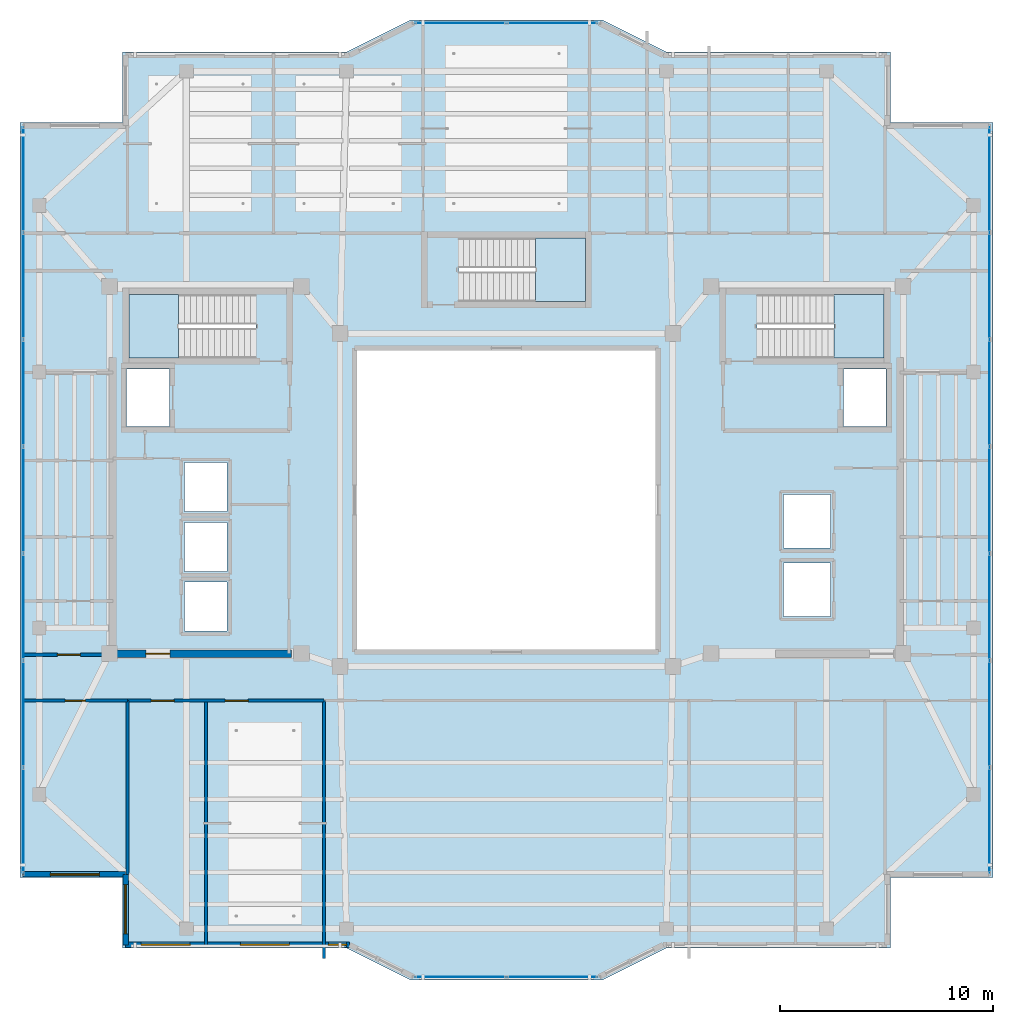
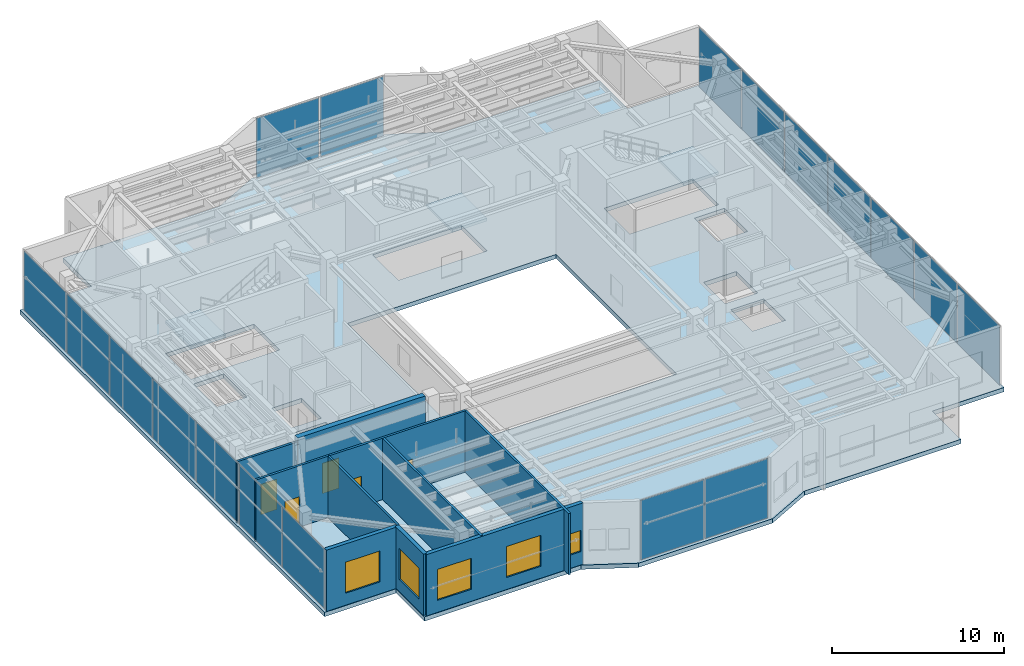
# One storey, part 13 of 25: 18 plates, 10 walls, 5 doors, 5 windows, 4 slabs, 10 openings, 7 elements without a shape of their own.
"""IFC4 building model written with IfcOpenShell, lengths in metres."""

from ifc_helpers import new_model, si_unit, direction, frame, frame_2d, origin, origin_2d, place, context, subcontext, project, spatial, polyline, rectangle, outline, extrude, material, layer, layer_set, type_object, element, fill, aggregate, save


model = new_model("IFC4")

# Units and contexts
model_context = context("Model", 3, precision=1e-05, world=origin(), true_north=direction((0.0, 1.0)))
body_context = subcontext(model_context, "Body", "Model", "MODEL_VIEW")
ifc_project = project(units=[si_unit("LENGTHUNIT", "METRE"), si_unit("AREAUNIT", "SQUARE_METRE"), si_unit("VOLUMEUNIT", "CUBIC_METRE"), si_unit("PLANEANGLEUNIT", "RADIAN"), si_unit("MASSUNIT", "GRAM", prefix="KILO")], contexts=[model_context])

# Site, building, storey
site_placement = place(None, origin())
site = spatial("IfcSite", under=ifc_project, at=site_placement, CompositionType="ELEMENT")
building_placement = place(site_placement, origin())
building = spatial("IfcBuilding", under=site, at=building_placement, Name="Tarnavaz Court Tower", CompositionType="ELEMENT")
storey_placement = place(building_placement, frame((0.0, 0.0, 271.64990234375)))
storey = spatial("IfcBuildingStorey", under=building, at=storey_placement, Name="L74", CompositionType="ELEMENT", Elevation=271.64990234375)

# Curtain wall, plates
ifc_material_1 = material(Name="Anodised Aluminium 6063-T6 and Solar Low-E Glazing", Category="aluminium")
ifc_layer_1 = layer(ifc_material_1, 0.2099609375)
ifc_layer_set_1 = layer_set([ifc_layer_1], Name="Anodised Aluminium 6063-T6 and Solar Low-E Glazing")
curtain_wall_type = type_object("IfcCurtainWallType", Name="CW-SYS-06", PredefinedType="NOTDEFINED", material=ifc_layer_set_1)
curtain_wall_1_placement = place(storey_placement, origin())
curtain_wall_1 = element("IfcCurtainWall", 1, at=curtain_wall_1_placement, inside=storey, type_object=curtain_wall_type, Name="L74 Observation Curtain Wall 2", PredefinedType="NOTDEFINED")
ifc_material_2 = material(Name="Double-Glazed Solar Low-E Glass", Category="glass")
ifc_layer_2 = layer(ifc_material_2, 0.028076171875)
ifc_layer_set_2 = layer_set([ifc_layer_2], Name="Double-Glazed Solar Low-E Glass")
plate_type = type_object("IfcPlateType", Name="CW-PAN-GLZ28", PredefinedType="CURTAIN_PANEL", material=ifc_layer_set_2)
plate_1_placement = place(storey_placement, frame((-22.64990234375, -15.021728515625, 0.06494140625), z_axis=(0.0, 0.0, 1.0), x_axis=(0.0, 1.0, 0.0)))
plate_1 = element("IfcPlate", 2, at=plate_1_placement, type_object=plate_type, Name="CW panel 1.1", PredefinedType="CURTAIN_PANEL", context=body_context, shape_type="SweptSolid", body=[
    extrude(rectangle(XDim=4.88671875, YDim=0.028076171875, at=origin_2d()), origin(), (0.0, 0.0, 1.0), 4.219970703125),
])
plate_2_placement = place(storey_placement, frame((-22.64990234375, -10.028564453125, 0.06494140625), z_axis=(0.0, 0.0, 1.0), x_axis=(0.0, 1.0, 0.0)))
plate_2 = element("IfcPlate", 3, at=plate_2_placement, type_object=plate_type, Name="CW panel 2.1", PredefinedType="CURTAIN_PANEL", context=body_context, shape_type="SweptSolid", body=[
    extrude(rectangle(XDim=4.92919921875, YDim=0.028076171875, at=origin_2d()), origin(), (0.0, 0.0, 1.0), 4.219970703125),
])
plate_3_placement = place(storey_placement, frame((-22.64990234375, -5.014404296875, 0.06494140625), z_axis=(0.0, 0.0, 1.0), x_axis=(0.0, 1.0, 0.0)))
plate_3 = element("IfcPlate", 4, at=plate_3_placement, type_object=plate_type, Name="CW panel 3.1", PredefinedType="CURTAIN_PANEL", context=body_context, shape_type="SweptSolid", body=[
    extrude(rectangle(XDim=4.92919921875, YDim=0.028076171875, at=origin_2d()), origin(), (0.0, 0.0, 1.0), 4.219970703125),
])
plate_4_placement = place(storey_placement, frame((-22.64990234375, 0.0, 0.06494140625), z_axis=(0.0, 0.0, 1.0), x_axis=(0.0, 1.0, 0.0)))
plate_4 = element("IfcPlate", 5, at=plate_4_placement, type_object=plate_type, Name="CW panel 4.1", PredefinedType="CURTAIN_PANEL", context=body_context, shape_type="SweptSolid", body=[
    extrude(rectangle(XDim=4.92919921875, YDim=0.028076171875, at=origin_2d()), origin(), (0.0, 0.0, 1.0), 4.219970703125),
])
plate_5_placement = place(storey_placement, frame((-22.64990234375, 5.014404296875, 0.06494140625), z_axis=(0.0, 0.0, 1.0), x_axis=(0.0, 1.0, 0.0)))
plate_5 = element("IfcPlate", 6, at=plate_5_placement, type_object=plate_type, Name="CW panel 5.1", PredefinedType="CURTAIN_PANEL", context=body_context, shape_type="SweptSolid", body=[
    extrude(rectangle(XDim=4.92919921875, YDim=0.028076171875, at=origin_2d()), origin(), (0.0, 0.0, 1.0), 4.219970703125),
])
plate_6_placement = place(storey_placement, frame((-22.64990234375, 10.028564453125, 0.06494140625), z_axis=(0.0, 0.0, 1.0), x_axis=(0.0, 1.0, 0.0)))
plate_6 = element("IfcPlate", 7, at=plate_6_placement, type_object=plate_type, Name="CW panel 6.1", PredefinedType="CURTAIN_PANEL", context=body_context, shape_type="SweptSolid", body=[
    extrude(rectangle(XDim=4.92919921875, YDim=0.028076171875, at=origin_2d()), origin(), (0.0, 0.0, 1.0), 4.219970703125),
])
plate_7_placement = place(storey_placement, frame((-22.64990234375, 15.021728515625, 0.06494140625), z_axis=(0.0, 0.0, 1.0), x_axis=(0.0, 1.0, 0.0)))
plate_7 = element("IfcPlate", 8, at=plate_7_placement, type_object=plate_type, Name="CW panel 7.1", PredefinedType="CURTAIN_PANEL", context=body_context, shape_type="SweptSolid", body=[
    extrude(rectangle(XDim=4.88671875, YDim=0.028076171875, at=origin_2d()), origin(), (0.0, 0.0, 1.0), 4.219970703125),
])
aggregate(curtain_wall_1, [plate_1, plate_2, plate_3, plate_4, plate_5, plate_6, plate_7])

curtain_wall_2_placement = place(storey_placement, origin())
curtain_wall_2 = element("IfcCurtainWall", 9, at=curtain_wall_2_placement, inside=storey, type_object=curtain_wall_type, Name="L74 Observation Curtain Wall 7", PredefinedType="NOTDEFINED")
plate_8_placement = place(storey_placement, frame((-2.15380859375, 22.35009765625, 0.06494140625), z_axis=(0.0, 0.0, 1.0), x_axis=(1.0, 0.0, 0.0)))
plate_8 = element("IfcPlate", 10, at=plate_8_placement, type_object=plate_type, Name="CW panel 1.1", PredefinedType="CURTAIN_PANEL", context=body_context, shape_type="SweptSolid", body=[
    extrude(rectangle(XDim=4.222412109375, YDim=0.028076171875, at=origin_2d()), origin(), (0.0, 0.0, 1.0), 4.219970703125),
])
plate_9_placement = place(storey_placement, frame((2.15380859375, 22.35009765625, 0.06494140625), z_axis=(0.0, 0.0, 1.0), x_axis=(1.0, 0.0, 0.0)))
plate_9 = element("IfcPlate", 11, at=plate_9_placement, type_object=plate_type, Name="CW panel 2.1", PredefinedType="CURTAIN_PANEL", context=body_context, shape_type="SweptSolid", body=[
    extrude(rectangle(XDim=4.222412109375, YDim=0.028076171875, at=origin_2d()), origin(), (0.0, 0.0, 1.0), 4.219970703125),
])
aggregate(curtain_wall_2, [plate_8, plate_9])

curtain_wall_3_placement = place(storey_placement, origin())
curtain_wall_3 = element("IfcCurtainWall", 12, at=curtain_wall_3_placement, inside=storey, type_object=curtain_wall_type, Name="L74 Observation Curtain Wall 12", PredefinedType="NOTDEFINED")
plate_10_placement = place(storey_placement, frame((22.64990234375, 15.021728515625, 0.06494140625), z_axis=(0.0, 0.0, 1.0), x_axis=(0.0, -1.0, 0.0)))
plate_10 = element("IfcPlate", 13, at=plate_10_placement, type_object=plate_type, Name="CW panel 1.1", PredefinedType="CURTAIN_PANEL", context=body_context, shape_type="SweptSolid", body=[
    extrude(rectangle(XDim=4.88671875, YDim=0.028076171875, at=origin_2d()), origin(), (0.0, 0.0, 1.0), 4.219970703125),
])
plate_11_placement = place(storey_placement, frame((22.64990234375, 10.028564453125, 0.06494140625), z_axis=(0.0, 0.0, 1.0), x_axis=(0.0, -1.0, 0.0)))
plate_11 = element("IfcPlate", 14, at=plate_11_placement, type_object=plate_type, Name="CW panel 2.1", PredefinedType="CURTAIN_PANEL", context=body_context, shape_type="SweptSolid", body=[
    extrude(rectangle(XDim=4.92919921875, YDim=0.028076171875, at=origin_2d()), origin(), (0.0, 0.0, 1.0), 4.219970703125),
])
plate_12_placement = place(storey_placement, frame((22.64990234375, 5.014404296875, 0.06494140625), z_axis=(0.0, 0.0, 1.0), x_axis=(0.0, -1.0, 0.0)))
plate_12 = element("IfcPlate", 15, at=plate_12_placement, type_object=plate_type, Name="CW panel 3.1", PredefinedType="CURTAIN_PANEL", context=body_context, shape_type="SweptSolid", body=[
    extrude(rectangle(XDim=4.92919921875, YDim=0.028076171875, at=origin_2d()), origin(), (0.0, 0.0, 1.0), 4.219970703125),
])
plate_13_placement = place(storey_placement, frame((22.64990234375, 0.0, 0.06494140625), z_axis=(0.0, 0.0, 1.0), x_axis=(0.0, -1.0, 0.0)))
plate_13 = element("IfcPlate", 16, at=plate_13_placement, type_object=plate_type, Name="CW panel 4.1", PredefinedType="CURTAIN_PANEL", context=body_context, shape_type="SweptSolid", body=[
    extrude(rectangle(XDim=4.92919921875, YDim=0.028076171875, at=origin_2d()), origin(), (0.0, 0.0, 1.0), 4.219970703125),
])
plate_14_placement = place(storey_placement, frame((22.64990234375, -5.014404296875, 0.06494140625), z_axis=(0.0, 0.0, 1.0), x_axis=(0.0, -1.0, 0.0)))
plate_14 = element("IfcPlate", 17, at=plate_14_placement, type_object=plate_type, Name="CW panel 5.1", PredefinedType="CURTAIN_PANEL", context=body_context, shape_type="SweptSolid", body=[
    extrude(rectangle(XDim=4.92919921875, YDim=0.028076171875, at=origin_2d()), origin(), (0.0, 0.0, 1.0), 4.219970703125),
])
plate_15_placement = place(storey_placement, frame((22.64990234375, -10.028564453125, 0.06494140625), z_axis=(0.0, 0.0, 1.0), x_axis=(0.0, -1.0, 0.0)))
plate_15 = element("IfcPlate", 18, at=plate_15_placement, type_object=plate_type, Name="CW panel 6.1", PredefinedType="CURTAIN_PANEL", context=body_context, shape_type="SweptSolid", body=[
    extrude(rectangle(XDim=4.92919921875, YDim=0.028076171875, at=origin_2d()), origin(), (0.0, 0.0, 1.0), 4.219970703125),
])
plate_16_placement = place(storey_placement, frame((22.64990234375, -15.021728515625, 0.06494140625), z_axis=(0.0, 0.0, 1.0), x_axis=(0.0, -1.0, 0.0)))
plate_16 = element("IfcPlate", 19, at=plate_16_placement, type_object=plate_type, Name="CW panel 7.1", PredefinedType="CURTAIN_PANEL", context=body_context, shape_type="SweptSolid", body=[
    extrude(rectangle(XDim=4.88671875, YDim=0.028076171875, at=origin_2d()), origin(), (0.0, 0.0, 1.0), 4.219970703125),
])
aggregate(curtain_wall_3, [plate_10, plate_11, plate_12, plate_13, plate_14, plate_15, plate_16])

curtain_wall_4_placement = place(storey_placement, origin())
curtain_wall_4 = element("IfcCurtainWall", 20, at=curtain_wall_4_placement, inside=storey, type_object=curtain_wall_type, Name="L74 Observation Curtain Wall 17", PredefinedType="NOTDEFINED")
plate_17_placement = place(storey_placement, frame((2.15380859375, -22.35009765625, 0.06494140625), z_axis=(0.0, 0.0, 1.0), x_axis=(-1.0, 0.0, 0.0)))
plate_17 = element("IfcPlate", 21, at=plate_17_placement, type_object=plate_type, Name="CW panel 1.1", PredefinedType="CURTAIN_PANEL", context=body_context, shape_type="SweptSolid", body=[
    extrude(rectangle(XDim=4.222412109375, YDim=0.028076171875, at=origin_2d()), origin(), (0.0, 0.0, 1.0), 4.219970703125),
])
plate_18_placement = place(storey_placement, frame((-2.15380859375, -22.35009765625, 0.06494140625), z_axis=(0.0, 0.0, 1.0), x_axis=(-1.0, 0.0, 0.0)))
plate_18 = element("IfcPlate", 22, at=plate_18_placement, type_object=plate_type, Name="CW panel 2.1", PredefinedType="CURTAIN_PANEL", context=body_context, shape_type="SweptSolid", body=[
    extrude(rectangle(XDim=4.222412109375, YDim=0.028076171875, at=origin_2d()), origin(), (0.0, 0.0, 1.0), 4.219970703125),
])
aggregate(curtain_wall_4, [plate_17, plate_18])

# Stair, slab
ifc_material_3 = material(Name="Concrete C40/50", Category="concrete")
stair_type = type_object("IfcStairType", Name="ST-TWR-28R", PredefinedType="HALF_TURN_STAIR", material=ifc_material_3)
stair_1_placement = place(storey_placement, origin())
stair_1 = element("IfcStair", 23, at=stair_1_placement, inside=storey, type_object=stair_type, Name="L74 West Core Pressurized Exit Stair ST-W1", PredefinedType="HALF_TURN_STAIR")
ifc_layer_3 = layer(ifc_material_3, 0.199951171875)
ifc_layer_set_3 = layer_set([ifc_layer_3], Name="Concrete C40/50")
slab_type_1 = type_object("IfcSlabType", Name="SL-LAND-200", PredefinedType="LANDING", material=ifc_layer_set_3)
slab_1_placement = place(storey_placement, frame((0.0, 0.0, 2.125)))
slab_1 = element("IfcSlab", 24, at=slab_1_placement, type_object=slab_type_1, Name="ST-W1 landing 1", PredefinedType="LANDING", context=body_context, shape_type="SweptSolid", body=[
    extrude(outline(polyline([(-15.360107421875, 9.639892578125), (-17.699951171875, 9.639892578125), (-17.699951171875, 6.64990234375), (-15.360107421875, 6.64990234375), (-15.360107421875, 9.639892578125)])), origin(), (0.0, 0.0, 1.0), 0.2001953125),
])
aggregate(stair_1, [slab_1])

stair_2_placement = place(storey_placement, origin())
stair_2 = element("IfcStair", 25, at=stair_2_placement, inside=storey, type_object=stair_type, Name="L74 East Core Pressurized Exit Stair ST-E1", PredefinedType="HALF_TURN_STAIR")
slab_2_placement = place(storey_placement, frame((0.0, 0.0, 2.125)))
slab_2 = element("IfcSlab", 26, at=slab_2_placement, type_object=slab_type_1, Name="ST-E1 landing 1", PredefinedType="LANDING", context=body_context, shape_type="SweptSolid", body=[
    extrude(outline(polyline([(15.360107421875, 6.64990234375), (17.699951171875, 6.64990234375), (17.699951171875, 9.639892578125), (15.360107421875, 9.639892578125), (15.360107421875, 6.64990234375)])), origin(), (0.0, 0.0, 1.0), 0.2001953125),
])
aggregate(stair_2, [slab_2])

stair_3_placement = place(storey_placement, origin())
stair_3 = element("IfcStair", 27, at=stair_3_placement, inside=storey, type_object=stair_type, Name="L74 North Ring Pressurized Exit Stair ST-N1", PredefinedType="HALF_TURN_STAIR")
slab_3_placement = place(storey_placement, frame((0.0, 0.0, 2.125)))
slab_3 = element("IfcSlab", 28, at=slab_3_placement, type_object=slab_type_1, Name="ST-N1 landing 1", PredefinedType="LANDING", context=body_context, shape_type="SweptSolid", body=[
    extrude(outline(polyline([(1.360107421875, 9.300048828125), (3.699951171875, 9.300048828125), (3.699951171875, 12.2900390625), (1.360107421875, 12.2900390625), (1.360107421875, 9.300048828125)])), origin(), (0.0, 0.0, 1.0), 0.2001953125),
])
aggregate(stair_3, [slab_3])

# Slab
ifc_layer_4 = layer(ifc_material_3, 0.300048828125)
ifc_layer_set_4 = layer_set([ifc_layer_4], Name="Concrete C40/50")
slab_type_2 = type_object("IfcSlabType", Name="SL-POD-300", PredefinedType="FLOOR", material=ifc_layer_set_4)
slab_4_placement = place(storey_placement, frame((0.0, 0.0, -0.2998046875)))
element("IfcSlab", 29, at=slab_4_placement, inside=storey, type_object=slab_type_2, Name="L74 Structural Floor Slab", PredefinedType="FLOOR", context=body_context, shape_type="SweptSolid", body=[
    extrude(outline(polyline([(-18.0, -21.0), (-7.5, -21.0), (-4.5, -22.5), (4.5, -22.5), (7.5, -21.0), (18.0, -21.0), (18.0, -17.699951171875), (22.800048828125, -17.699951171875), (22.800048828125, 17.699951171875), (18.0, 17.699951171875), (18.0, 21.0), (7.5, 21.0), (4.5, 22.5), (-4.5, 22.5), (-7.5, 21.0), (-18.0, 21.0), (-18.0, 17.699951171875), (-22.800048828125, 17.699951171875), (-22.800048828125, -17.699951171875), (-18.0, -17.699951171875), (-18.0, -21.0)]), holes=[polyline([(-7.0, -7.0), (7.0, -7.0), (7.0, 7.0), (-7.0, 7.0), (-7.0, -7.0)]), polyline([(-11.7451171875, 9.639892578125), (-17.699951171875, 9.639892578125), (-17.699951171875, 6.64990234375), (-11.7451171875, 6.64990234375), (-11.7451171875, 9.639892578125)]), polyline([(11.7451171875, 6.64990234375), (17.699951171875, 6.64990234375), (17.699951171875, 9.639892578125), (11.7451171875, 9.639892578125), (11.7451171875, 6.64990234375)]), polyline([(-2.2548828125, 9.300048828125), (3.699951171875, 9.300048828125), (3.699951171875, 12.2900390625), (-2.2548828125, 12.2900390625), (-2.2548828125, 9.300048828125)]), polyline([(-17.800048828125, 3.449951171875), (-15.800048828125, 3.449951171875), (-15.800048828125, 6.14990234375), (-17.800048828125, 6.14990234375), (-17.800048828125, 3.449951171875)]), polyline([(-15.10009765625, -6.14990234375), (-13.10009765625, -6.14990234375), (-13.10009765625, -3.85009765625), (-15.10009765625, -3.85009765625), (-15.10009765625, -6.14990234375)]), polyline([(-15.10009765625, -3.35009765625), (-13.10009765625, -3.35009765625), (-13.10009765625, -1.050048828125), (-15.10009765625, -1.050048828125), (-15.10009765625, -3.35009765625)]), polyline([(-15.10009765625, -0.550048828125), (-13.10009765625, -0.550048828125), (-13.10009765625, 1.75), (-15.10009765625, 1.75), (-15.10009765625, -0.550048828125)]), polyline([(15.800048828125, 3.449951171875), (17.800048828125, 3.449951171875), (17.800048828125, 6.14990234375), (15.800048828125, 6.14990234375), (15.800048828125, 3.449951171875)]), polyline([(13.0, -5.449951171875), (15.199951171875, -5.449951171875), (15.199951171875, -2.949951171875), (13.0, -2.949951171875), (13.0, -5.449951171875)]), polyline([(13.0, -2.25), (15.199951171875, -2.25), (15.199951171875, 0.25), (13.0, 0.25), (13.0, -2.25)])]), origin(), (0.0, 0.0, 1.0), 0.2998046875),
])

# Wall, opening, door
ifc_material_4 = material(Name="Concrete C50/60", Category="concrete")
ifc_layer_5 = layer(ifc_material_4, 0.35009765625)
ifc_layer_set_5 = layer_set([ifc_layer_5], Name="Concrete C50/60")
wall_type_1 = type_object("IfcWallType", Name="WL-CORE-350-C50", PredefinedType="SHEAR", material=ifc_layer_set_5)
wall_1_placement = place(storey_placement, frame((-18.625, -7.199951171875, 0.0), z_axis=(0.0, 0.0, 1.0), x_axis=(1.0, 0.0, 0.0)))
wall_1 = element("IfcWall", 30, at=wall_1_placement, inside=storey, type_object=wall_type_1, Name="L74 West Core South Shear Wall 046", PredefinedType="SHEAR", context=body_context, shape_type="SweptSolid", body=[
    extrude(rectangle(XDim=8.550048828125, YDim=0.35009765625, at=frame_2d((4.27490234375, 0.0))), origin(), (0.0, 0.0, 1.0), 4.650146484375),
])
opening_1_placement = place(wall_1_placement, frame((1.72509765625, 0.0, 0.0)))
opening_1 = element("IfcOpeningElement", 31, at=opening_1_placement, cuts=wall_1, Name="Opening D04", PredefinedType="OPENING", context=body_context, shape_type="SweptSolid", body=[
    extrude(rectangle(XDim=1.1201171875, YDim=2.14990234375, at=frame_2d((0.56005859375, 1.074951171875))), frame((0.0, 0.18505859375, 0.0), z_axis=(0.0, -1.0, 0.0), x_axis=(1.0, 0.0, 0.0)), (0.0, 0.0, 1.0), 0.3701171875),
])
ifc_material_5 = material(Name="Fire-Rated Hardwood Timber Core", Category="wood")
door_type_1 = type_object("IfcDoorType", Name="DR-FD60-1100", OperationType="NOTDEFINED", PredefinedType="DOOR", material=ifc_material_5)
door_1_placement = place(opening_1_placement, origin())
door_1 = element("IfcDoor", 32, at=door_1_placement, inside=storey, type_object=door_type_1, Name="L74 West High-Rise Lift Lobby Door", OperationType="SINGLE_SWING_LEFT", OverallHeight=2.14990234375, OverallWidth=1.1201171875, PredefinedType="DOOR", context=body_context, shape_type="SweptSolid", body=[
    extrude(rectangle(XDim=1.1201171875, YDim=2.14990234375, at=frame_2d((0.56005859375, 1.074951171875))), frame((0.0, 0.02490234375, 0.0), z_axis=(0.0, -1.0, 0.0), x_axis=(1.0, 0.0, 0.0)), (0.0, 0.0, 1.0), 0.050048828125),
])
fill(opening_1, door_1)

# Wall, opening, window
ifc_material_6 = material(Name="Precast Concrete C40/50", Category="concrete")
ifc_layer_6 = layer(ifc_material_6, 0.260009765625)
ifc_layer_set_6 = layer_set([ifc_layer_6], Name="Precast Concrete C40/50")
wall_type_2 = type_object("IfcWallType", Name="WL-EXT-260", PredefinedType="SOLIDWALL", material=ifc_layer_set_6)
wall_2_placement = place(storey_placement, frame((-17.85009765625, -17.550048828125, 0.0), z_axis=(0.0, 0.0, 1.0), x_axis=(-1.0, 0.0, 0.0)))
wall_2 = element("IfcWall", 33, at=wall_2_placement, inside=storey, type_object=wall_type_2, Name="L74 Exterior Terracotta Facade Wall 01", PredefinedType="SOLIDWALL", context=body_context, shape_type="SweptSolid", body=[
    extrude(rectangle(XDim=4.7998046875, YDim=0.260009765625, at=frame_2d((2.39990234375, 0.0))), origin(), (0.0, 0.0, 1.0), 4.35009765625),
])
opening_2_placement = place(wall_2_placement, frame((1.224609375, 0.0, 0.85009765625)))
opening_2 = element("IfcOpeningElement", 34, at=opening_2_placement, cuts=wall_2, Name="Opening W12", PredefinedType="OPENING", context=body_context, shape_type="SweptSolid", body=[
    extrude(rectangle(XDim=2.300048828125, YDim=2.199951171875, at=frame_2d((1.14990234375, 1.10009765625))), frame((0.0, 0.139892578125, 0.0), z_axis=(0.0, -1.0, 0.0), x_axis=(1.0, 0.0, 0.0)), (0.0, 0.0, 1.0), 0.280029296875),
])
window_type_1 = type_object("IfcWindowType", Name="WN-COM-2300", PartitioningType="DOUBLE_PANEL_VERTICAL", PredefinedType="WINDOW", material=ifc_material_2)
window_1_placement = place(opening_2_placement, origin())
window_1 = element("IfcWindow", 35, at=window_1_placement, inside=storey, type_object=window_type_1, Name="L74 L74 SW Terrace Salon Window", OverallHeight=2.199951171875, OverallWidth=2.300048828125, PartitioningType="SINGLE_PANEL", PredefinedType="WINDOW", context=body_context, shape_type="SweptSolid", body=[
    extrude(rectangle(XDim=2.300048828125, YDim=2.199951171875, at=frame_2d((1.14990234375, 1.10009765625))), frame((0.0, 0.030029296875, 0.0), z_axis=(0.0, -1.0, 0.0), x_axis=(1.0, 0.0, 0.0)), (0.0, 0.0, 1.0), 0.06005859375),
])
fill(opening_2, window_1)

# Wall, openings, windows
wall_3_placement = place(storey_placement, frame((-7.35009765625, -20.85009765625, 0.0), z_axis=(0.0, 0.0, 1.0), x_axis=(-1.0, 0.0, 0.0)))
wall_3 = element("IfcWall", 36, at=wall_3_placement, inside=storey, type_object=wall_type_2, Name="L74 Exterior Terracotta Facade Wall 19", PredefinedType="SOLIDWALL", context=body_context, shape_type="SweptSolid", body=[
    extrude(rectangle(XDim=10.5, YDim=0.260009765625, at=frame_2d((5.25, 0.0))), origin(), (0.0, 0.0, 1.0), 4.35009765625),
])
opening_3_placement = place(wall_3_placement, frame((0.14501953125, 0.0, 0.949951171875)))
opening_3 = element("IfcOpeningElement", 37, at=opening_3_placement, cuts=wall_3, Name="Opening W15", PredefinedType="OPENING", context=body_context, shape_type="SweptSolid", body=[
    extrude(rectangle(XDim=0.85009765625, YDim=1.5, at=frame_2d((0.425048828125, 0.75))), frame((0.0, 0.139892578125, 0.0), z_axis=(0.0, -1.0, 0.0), x_axis=(1.0, 0.0, 0.0)), (0.0, 0.0, 1.0), 0.280029296875),
])
opening_4_placement = place(wall_3_placement, frame((2.824951171875, 0.0, 0.85009765625)))
opening_4 = element("IfcOpeningElement", 38, at=opening_4_placement, cuts=wall_3, Name="Opening W12", PredefinedType="OPENING", context=body_context, shape_type="SweptSolid", body=[
    extrude(rectangle(XDim=2.300048828125, YDim=2.199951171875, at=frame_2d((1.14990234375, 1.10009765625))), frame((0.0, 0.139892578125, 0.0), z_axis=(0.0, -1.0, 0.0), x_axis=(1.0, 0.0, 0.0)), (0.0, 0.0, 1.0), 0.280029296875),
])
opening_5_placement = place(wall_3_placement, frame((7.47509765625, 0.0, 0.85009765625)))
opening_5 = element("IfcOpeningElement", 39, at=opening_5_placement, cuts=wall_3, Name="Opening W12", PredefinedType="OPENING", context=body_context, shape_type="SweptSolid", body=[
    extrude(rectangle(XDim=2.300048828125, YDim=2.199951171875, at=frame_2d((1.14990234375, 1.10009765625))), frame((0.0, 0.139892578125, 0.0), z_axis=(0.0, -1.0, 0.0), x_axis=(1.0, 0.0, 0.0)), (0.0, 0.0, 1.0), 0.280029296875),
])
window_type_2 = type_object("IfcWindowType", Name="WN-APT-850", PartitioningType="SINGLE_PANEL", PredefinedType="WINDOW", material=ifc_material_2)
window_2_placement = place(opening_3_placement, origin())
window_2 = element("IfcWindow", 40, at=window_2_placement, inside=storey, type_object=window_type_2, Name="L74 L74 Central Iwan Cultural Exhibition Hall Window", OverallHeight=1.5, OverallWidth=0.85009765625, PartitioningType="SINGLE_PANEL", PredefinedType="WINDOW", context=body_context, shape_type="SweptSolid", body=[
    extrude(rectangle(XDim=0.85009765625, YDim=1.5, at=frame_2d((0.425048828125, 0.75))), frame((0.0, 0.030029296875, 0.0), z_axis=(0.0, -1.0, 0.0), x_axis=(1.0, 0.0, 0.0)), (0.0, 0.0, 1.0), 0.06005859375),
])
fill(opening_3, window_2)
window_3_placement = place(opening_4_placement, origin())
window_3 = element("IfcWindow", 41, at=window_3_placement, inside=storey, type_object=window_type_1, Name="L74 L74 South-West Study Room Window", OverallHeight=2.199951171875, OverallWidth=2.300048828125, PartitioningType="SINGLE_PANEL", PredefinedType="WINDOW", context=body_context, shape_type="SweptSolid", body=[
    extrude(rectangle(XDim=2.300048828125, YDim=2.199951171875, at=frame_2d((1.14990234375, 1.10009765625))), frame((0.0, 0.030029296875, 0.0), z_axis=(0.0, -1.0, 0.0), x_axis=(1.0, 0.0, 0.0)), (0.0, 0.0, 1.0), 0.06005859375),
])
fill(opening_4, window_3)
window_4_placement = place(opening_5_placement, origin())
window_4 = element("IfcWindow", 42, at=window_4_placement, inside=storey, type_object=window_type_1, Name="L74 High-Rise Visitor Cafe Window", OverallHeight=2.199951171875, OverallWidth=2.300048828125, PartitioningType="SINGLE_PANEL", PredefinedType="WINDOW", context=body_context, shape_type="SweptSolid", body=[
    extrude(rectangle(XDim=2.300048828125, YDim=2.199951171875, at=frame_2d((1.14990234375, 1.10009765625))), frame((0.0, 0.030029296875, 0.0), z_axis=(0.0, -1.0, 0.0), x_axis=(1.0, 0.0, 0.0)), (0.0, 0.0, 1.0), 0.06005859375),
])
fill(opening_5, window_4)

# Wall, opening, window
wall_4_placement = place(storey_placement, frame((-17.85009765625, -20.85009765625, 0.0), z_axis=(0.0, 0.0, 1.0), x_axis=(0.0, 1.0, 0.0)))
wall_4 = element("IfcWall", 43, at=wall_4_placement, inside=storey, type_object=wall_type_2, Name="L74 Exterior Terracotta Facade Wall 20", PredefinedType="SOLIDWALL", context=body_context, shape_type="SweptSolid", body=[
    extrude(rectangle(XDim=3.300048828125, YDim=0.260009765625, at=frame_2d((1.64990234375, 0.0))), origin(), (0.0, 0.0, 1.0), 4.35009765625),
])
opening_6_placement = place(wall_4_placement, frame((0.517578125, 0.0, 0.85009765625)))
opening_6 = element("IfcOpeningElement", 44, at=opening_6_placement, cuts=wall_4, Name="Opening W12", PredefinedType="OPENING", context=body_context, shape_type="SweptSolid", body=[
    extrude(rectangle(XDim=2.300048828125, YDim=2.199951171875, at=frame_2d((1.14990234375, 1.10009765625))), frame((0.0, 0.139892578125, 0.0), z_axis=(0.0, -1.0, 0.0), x_axis=(1.0, 0.0, 0.0)), (0.0, 0.0, 1.0), 0.280029296875),
])
window_5_placement = place(opening_6_placement, origin())
window_5 = element("IfcWindow", 45, at=window_5_placement, inside=storey, type_object=window_type_1, Name="L74 High-Rise Visitor Cafe Window", OverallHeight=2.199951171875, OverallWidth=2.300048828125, PartitioningType="SINGLE_PANEL", PredefinedType="WINDOW", context=body_context, shape_type="SweptSolid", body=[
    extrude(rectangle(XDim=2.300048828125, YDim=2.199951171875, at=frame_2d((1.14990234375, 1.10009765625))), frame((0.0, 0.030029296875, 0.0), z_axis=(0.0, -1.0, 0.0), x_axis=(1.0, 0.0, 0.0)), (0.0, 0.0, 1.0), 0.06005859375),
])
fill(opening_6, window_5)

# Wall, openings, doors
ifc_material_7 = material(Name="Gypsum Fire-Board on Acoustic Metal Stud", Category="masonry")
ifc_layer_7 = layer(ifc_material_7, 0.14990234375)
ifc_layer_set_7 = layer_set([ifc_layer_7], Name="Gypsum Fire-Board on Acoustic Metal Stud")
wall_type_3 = type_object("IfcWallType", Name="WL-FIRE-150", PredefinedType="PARTITIONING", material=ifc_layer_set_7)
wall_5_placement = place(storey_placement, frame((-17.75, -9.39990234375, 0.0), z_axis=(0.0, 0.0, 1.0), x_axis=(1.0, 0.0, 0.0)))
wall_5 = element("IfcWall", 46, at=wall_5_placement, inside=storey, type_object=wall_type_3, Name="L74 SW Lobby Wall 056", PredefinedType="PARTITIONING", context=body_context, shape_type="SweptSolid", body=[
    extrude(rectangle(XDim=9.199951171875, YDim=0.14990234375, at=frame_2d((4.60009765625, 0.0))), origin(), (0.0, 0.0, 1.0), 4.35009765625),
])
opening_7_placement = place(wall_5_placement, frame((1.10009765625, 0.0, 0.0)))
opening_7 = element("IfcOpeningElement", 47, at=opening_7_placement, cuts=wall_5, Name="Opening D12", PredefinedType="OPENING", context=body_context, shape_type="SweptSolid", body=[
    extrude(rectangle(XDim=1.080078125, YDim=2.14990234375, at=frame_2d((0.5400390625, 1.074951171875))), frame((0.0, 0.0849609375, 0.0), z_axis=(0.0, -1.0, 0.0), x_axis=(1.0, 0.0, 0.0)), (0.0, 0.0, 1.0), 0.169921875),
])
opening_8_placement = place(wall_5_placement, frame((4.56005859375, 0.0, 0.0)))
opening_8 = element("IfcOpeningElement", 48, at=opening_8_placement, cuts=wall_5, Name="Opening D12", PredefinedType="OPENING", context=body_context, shape_type="SweptSolid", body=[
    extrude(rectangle(XDim=1.080078125, YDim=2.14990234375, at=frame_2d((0.5400390625, 1.074951171875))), frame((0.0, 0.0849609375, 0.0), z_axis=(0.0, -1.0, 0.0), x_axis=(1.0, 0.0, 0.0)), (0.0, 0.0, 1.0), 0.169921875),
])
ifc_material_8 = material(Name="Engineered Oak Timber", Category="wood")
door_type_2 = type_object("IfcDoorType", Name="DR-INT-1100", OperationType="NOTDEFINED", PredefinedType="DOOR", material=ifc_material_8)
door_2_placement = place(opening_7_placement, origin())
door_2 = element("IfcDoor", 49, at=door_2_placement, inside=storey, type_object=door_type_2, Name="L74 High-Rise Visitor Cafe Door", OperationType="SINGLE_SWING_LEFT", OverallHeight=2.14990234375, OverallWidth=1.080078125, PredefinedType="DOOR", context=body_context, shape_type="SweptSolid", body=[
    extrude(rectangle(XDim=1.080078125, YDim=2.14990234375, at=frame_2d((0.5400390625, 1.074951171875))), frame((0.0, 0.02490234375, 0.0), z_axis=(0.0, -1.0, 0.0), x_axis=(1.0, 0.0, 0.0)), (0.0, 0.0, 1.0), 0.050048828125),
])
fill(opening_7, door_2)
door_3_placement = place(opening_8_placement, origin())
door_3 = element("IfcDoor", 50, at=door_3_placement, inside=storey, type_object=door_type_2, Name="L74 SW Study Room Door", OperationType="SINGLE_SWING_RIGHT", OverallHeight=2.14990234375, OverallWidth=1.080078125, PredefinedType="DOOR", context=body_context, shape_type="SweptSolid", body=[
    extrude(rectangle(XDim=1.080078125, YDim=2.14990234375, at=frame_2d((0.5400390625, 1.074951171875))), frame((0.0, 0.02490234375, 0.0), z_axis=(0.0, -1.0, 0.0), x_axis=(1.0, 0.0, 0.0)), (0.0, 0.0, 1.0), 0.050048828125),
])
fill(opening_8, door_3)

# Wall, opening, door
wall_6_placement = place(storey_placement, frame((-22.679931640625, -7.25, 0.0), z_axis=(0.0, 0.0, 1.0), x_axis=(1.0, 0.0, 0.0)))
wall_6 = element("IfcWall", 51, at=wall_6_placement, inside=storey, type_object=wall_type_3, Name="L74 Interior Partition 069", PredefinedType="PARTITIONING", context=body_context, shape_type="SweptSolid", body=[
    extrude(rectangle(XDim=4.22998046875, YDim=0.14990234375, at=frame_2d((2.114990234375, 0.0))), origin(), (0.0, 0.0, 1.0), 4.35009765625),
])
opening_9_placement = place(wall_6_placement, frame((1.6298828125, 0.0, 0.0)))
opening_9 = element("IfcOpeningElement", 52, at=opening_9_placement, cuts=wall_6, Name="Opening D12", PredefinedType="OPENING", context=body_context, shape_type="SweptSolid", body=[
    extrude(rectangle(XDim=1.080078125, YDim=2.14990234375, at=frame_2d((0.5400390625, 1.074951171875))), frame((0.0, 0.0849609375, 0.0), z_axis=(0.0, -1.0, 0.0), x_axis=(1.0, 0.0, 0.0)), (0.0, 0.0, 1.0), 0.169921875),
])
door_4_placement = place(opening_9_placement, origin())
door_4 = element("IfcDoor", 53, at=door_4_placement, inside=storey, type_object=door_type_2, Name="L74 West Suite Room 1 Door", OperationType="SINGLE_SWING_RIGHT", OverallHeight=2.14990234375, OverallWidth=1.080078125, PredefinedType="DOOR", context=body_context, shape_type="SweptSolid", body=[
    extrude(rectangle(XDim=1.080078125, YDim=2.14990234375, at=frame_2d((0.5400390625, 1.074951171875))), frame((0.0, 0.02490234375, 0.0), z_axis=(0.0, -1.0, 0.0), x_axis=(1.0, 0.0, 0.0)), (0.0, 0.0, 1.0), 0.050048828125),
])
fill(opening_9, door_4)

wall_7_placement = place(storey_placement, frame((-22.679931640625, -9.39990234375, 0.0), z_axis=(0.0, 0.0, 1.0), x_axis=(1.0, 0.0, 0.0)))
wall_7 = element("IfcWall", 54, at=wall_7_placement, inside=storey, type_object=wall_type_3, Name="L74 Interior Partition 079", PredefinedType="PARTITIONING", context=body_context, shape_type="SweptSolid", body=[
    extrude(rectangle(XDim=4.929931640625, YDim=0.14990234375, at=frame_2d((2.46484375, 0.0))), origin(), (0.0, 0.0, 1.0), 4.35009765625),
])
opening_10_placement = place(wall_7_placement, frame((1.989990234375, 0.0, 0.0)))
opening_10 = element("IfcOpeningElement", 55, at=opening_10_placement, cuts=wall_7, Name="Opening D13", PredefinedType="OPENING", context=body_context, shape_type="SweptSolid", body=[
    extrude(rectangle(XDim=0.949951171875, YDim=2.14990234375, at=frame_2d((0.47509765625, 1.074951171875))), frame((0.0, 0.0849609375, 0.0), z_axis=(0.0, -1.0, 0.0), x_axis=(1.0, 0.0, 0.0)), (0.0, 0.0, 1.0), 0.169921875),
])
door_type_3 = type_object("IfcDoorType", Name="DR-INT-950", OperationType="NOTDEFINED", PredefinedType="DOOR", material=ifc_material_8)
door_5_placement = place(opening_10_placement, origin())
door_5 = element("IfcDoor", 56, at=door_5_placement, inside=storey, type_object=door_type_3, Name="L74 SW Terrace Salon Door", OperationType="SINGLE_SWING_RIGHT", OverallHeight=2.14990234375, OverallWidth=0.949951171875, PredefinedType="DOOR", context=body_context, shape_type="SweptSolid", body=[
    extrude(rectangle(XDim=0.949951171875, YDim=2.14990234375, at=frame_2d((0.47509765625, 1.074951171875))), frame((0.0, 0.02490234375, 0.0), z_axis=(0.0, -1.0, 0.0), x_axis=(1.0, 0.0, 0.0)), (0.0, 0.0, 1.0), 0.050048828125),
])
fill(opening_10, door_5)

# Walls
ifc_material_9 = material(Name="Gypsum Plasterboard Acoustic Partition", Category="masonry")
ifc_layer_8 = layer(ifc_material_9, 0.139892578125)
ifc_layer_set_8 = layer_set([ifc_layer_8], Name="Gypsum Plasterboard Acoustic Partition")
wall_type_4 = type_object("IfcWallType", Name="WL-PART-150", PredefinedType="PARTITIONING", material=ifc_layer_set_8)
wall_8_placement = place(storey_placement, frame((-14.090087890625, -20.89990234375, 0.0), z_axis=(0.0, 0.0, 1.0), x_axis=(0.0, 1.0, 0.0)))
element("IfcWall", 57, at=wall_8_placement, inside=storey, type_object=wall_type_4, Name="L74 Interior Partition 064", PredefinedType="PARTITIONING", context=body_context, shape_type="SweptSolid", body=[
    extrude(rectangle(XDim=11.5, YDim=0.139892578125, at=frame_2d((5.75, 0.0))), origin(), (0.0, 0.0, 1.0), 4.35009765625),
])
wall_9_placement = place(storey_placement, frame((-8.550048828125, -21.50390625, 0.0), z_axis=(0.0, 0.0, 1.0), x_axis=(0.0, 1.0, 0.0)))
element("IfcWall", 58, at=wall_9_placement, inside=storey, type_object=wall_type_4, Name="L74 Interior Partition 065", PredefinedType="PARTITIONING", context=body_context, shape_type="SweptSolid", body=[
    extrude(rectangle(XDim=12.10400390625, YDim=0.139892578125, at=frame_2d((6.052001953125, 0.0))), origin(), (0.0, 0.0, 1.0), 4.35009765625),
])
wall_10_placement = place(storey_placement, frame((-17.75, -17.550048828125, 0.0), z_axis=(0.0, 0.0, 1.0), x_axis=(0.0, 1.0, 0.0)))
element("IfcWall", 59, at=wall_10_placement, inside=storey, type_object=wall_type_4, Name="L74 Interior Partition 073", PredefinedType="PARTITIONING", context=body_context, shape_type="SweptSolid", body=[
    extrude(rectangle(XDim=8.150146484375, YDim=0.139892578125, at=frame_2d((4.0751953125, 0.0))), origin(), (0.0, 0.0, 1.0), 4.35009765625),
])

save(model, "model.ifc")
